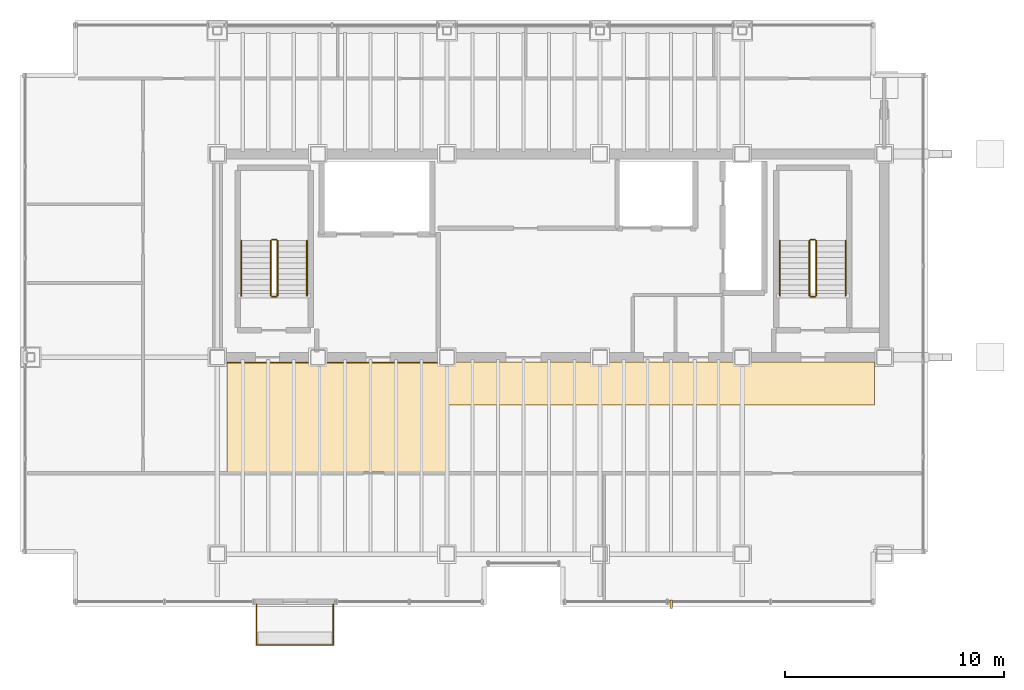
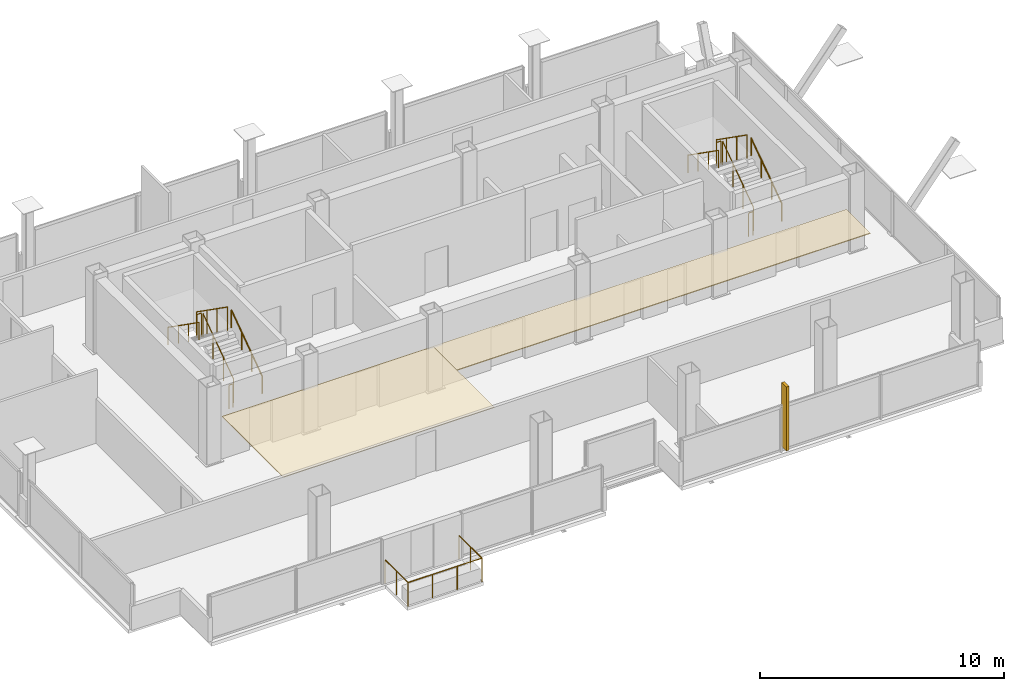
# One storey, part 16 of 16: 13 railings, 2 coverings, 1 shading device.
"""IFC4 building model written with IfcOpenShell, lengths in metres."""

from ifc_helpers import new_model, si_unit, direction, frame, origin, origin_2d, place, context, subcontext, project, spatial, polyline, rectangle, circle, outline, extrude, material, layer, layer_set, type_object, element, save


model = new_model("IFC4")

# Units and contexts
model_context = context("Model", 3, precision=1e-05, world=origin(), true_north=direction((0.0, 1.0)))
body_context = subcontext(model_context, "Body", "Model", "MODEL_VIEW")
ifc_project = project(units=[si_unit("LENGTHUNIT", "METRE"), si_unit("AREAUNIT", "SQUARE_METRE"), si_unit("VOLUMEUNIT", "CUBIC_METRE"), si_unit("PLANEANGLEUNIT", "RADIAN"), si_unit("MASSUNIT", "GRAM", prefix="KILO")], contexts=[model_context])

# Site, building, storey
site_placement = place(None, origin())
site = spatial("IfcSite", under=ifc_project, at=site_placement, CompositionType="ELEMENT")
building_placement = place(site_placement, origin())
building = spatial("IfcBuilding", under=site, at=building_placement, Name="Noeulbin Bourse Tower", CompositionType="ELEMENT")
storey_placement = place(building_placement, frame((0.0, 0.0, 277.39990234375)))
storey = spatial("IfcBuildingStorey", under=building, at=storey_placement, Name="L69", CompositionType="ELEMENT", Elevation=277.39990234375)

# Coverings
ifc_material_1 = material(Name="Perforated Mineral-Fibre Acoustic Tile")
ifc_layer_1 = layer(ifc_material_1, 0.0400390625)
ifc_layer_set_1 = layer_set([ifc_layer_1], Name="Perforated Mineral-Fibre Acoustic Tile")
covering_type_1 = type_object("IfcCoveringType", Name="COV-CEIL-ACT", PredefinedType="CEILING", material=ifc_layer_set_1)
covering_1_placement = place(storey_placement, frame((0.0, 0.0, 2.110107421875)))
element("IfcCovering", 1, at=covering_1_placement, inside=storey, type_object=covering_type_1, Name="Trading Suite Acoustic Ceiling L69", PredefinedType="CEILING", context=body_context, shape_type="SweptSolid", body=[
    extrude(outline(polyline([(13.949951171875, 23.75), (23.949951171875, 23.75), (23.949951171875, 28.75), (13.949951171875, 28.75), (13.949951171875, 23.75)])), origin(), (0.0, 0.0, 1.0), 0.0400390625),
])
ifc_material_2 = material(Name="Linear Anodised Aluminium Baffle Ceiling", Category="aluminium")
ifc_layer_2 = layer(ifc_material_2, 0.050048828125)
ifc_layer_set_2 = layer_set([ifc_layer_2], Name="Linear Anodised Aluminium Baffle Ceiling")
covering_type_2 = type_object("IfcCoveringType", Name="COV-CEIL-MTL", PredefinedType="CEILING", material=ifc_layer_set_2)
covering_2_placement = place(storey_placement, frame((0.0, 0.0, 2.110107421875)))
element("IfcCovering", 2, at=covering_2_placement, inside=storey, type_object=covering_type_2, Name="Corridor Suspended Ceiling L69", PredefinedType="CEILING", context=body_context, shape_type="SweptSolid", body=[
    extrude(outline(polyline([(13.949951171875, 26.820068359375), (43.550048828125, 26.820068359375), (43.550048828125, 28.780029296875), (13.949951171875, 28.780029296875), (13.949951171875, 26.820068359375)])), origin(), (0.0, 0.0, 1.0), 0.0400390625),
])

# Railings
ifc_material_3 = material(Name="Laminated SentryGlas and Stainless Steel 316", Category="steel")
ifc_layer_3 = layer(ifc_material_3, 0.06005859375)
ifc_layer_set_3 = layer_set([ifc_layer_3], Name="Laminated SentryGlas and Stainless Steel 316")
railing_type_1 = type_object("IfcRailingType", Name="RLG-BAL-1200", PredefinedType="BALUSTRADE", material=ifc_layer_set_3)
railing_1_placement = place(storey_placement, frame((15.300048828125, 17.719970703125, 0.0)))
element("IfcRailing", 3, at=railing_1_placement, inside=storey, type_object=railing_type_1, Name="Tree-Balcony Glazed Balustrade L69", PredefinedType="BALUSTRADE", context=body_context, shape_type="SweptSolid", body=[
    extrude(circle(Radius=0.02392578125, at=origin_2d()), frame((0.0, 0.0, 1.17578125), z_axis=(0.0, -1.0, 0.0), x_axis=(1.0, 0.0, 0.0)), (0.0, 0.0, 1.0), 1.869873046875),
    extrude(circle(Radius=0.02392578125, at=origin_2d()), frame((0.0, -1.869873046875, 1.17578125), z_axis=(1.0, 0.0, 0.0), x_axis=(0.0, 1.0, 0.0)), (0.0, 0.0, 1.0), 3.5),
    extrude(circle(Radius=0.02392578125, at=origin_2d()), frame((3.5, -1.869873046875, 1.17578125), z_axis=(0.0, 1.0, 0.0), x_axis=(-1.0, 0.0, 0.0)), (0.0, 0.0, 1.0), 1.869873046875),
    extrude(circle(Radius=0.02099609375, at=origin_2d()), origin(), (0.0, 0.0, 1.0), 1.15185546875),
    extrude(circle(Radius=0.02099609375, at=origin_2d()), frame((0.0, -0.93505859375, 0.0)), (0.0, 0.0, 1.0), 1.15185546875),
    extrude(circle(Radius=0.02099609375, at=origin_2d()), frame((0.0, -1.869873046875, 0.0)), (0.0, 0.0, 1.0), 1.15185546875),
    extrude(circle(Radius=0.02099609375, at=origin_2d()), frame((1.166748046875, -1.869873046875, 0.0)), (0.0, 0.0, 1.0), 1.15185546875),
    extrude(circle(Radius=0.02099609375, at=origin_2d()), frame((2.333251953125, -1.869873046875, 0.0)), (0.0, 0.0, 1.0), 1.15185546875),
    extrude(circle(Radius=0.02099609375, at=origin_2d()), frame((3.5, -1.869873046875, 0.0)), (0.0, 0.0, 1.0), 1.15185546875),
    extrude(circle(Radius=0.02099609375, at=origin_2d()), frame((3.5, -0.93505859375, 0.0)), (0.0, 0.0, 1.0), 1.15185546875),
    extrude(circle(Radius=0.02099609375, at=origin_2d()), frame((3.5, 0.0, 0.0)), (0.0, 0.0, 1.0), 1.15185546875),
])
ifc_material_4 = material(Name="Painted Tubular Steel S355", Category="steel")
ifc_layer_4 = layer(ifc_material_4, 0.048095703125)
ifc_layer_set_4 = layer_set([ifc_layer_4], Name="Painted Tubular Steel S355")
railing_type_2 = type_object("IfcRailingType", Name="RLG-STR-GRD", PredefinedType="GUARDRAIL", material=ifc_layer_set_4)
railing_2_placement = place(storey_placement, frame((16.25, 31.81005859375, 0.177490234375)))
element("IfcRailing", 4, at=railing_2_placement, inside=storey, type_object=railing_type_2, Name="L69 ST-1 stair guard 1", PredefinedType="GUARDRAIL", context=body_context, shape_type="SweptSolid", body=[
    extrude(circle(Radius=0.02392578125, at=origin_2d()), frame((0.0, 0.0, 1.17578125), z_axis=(0.0, 0.817904474719, 0.575354039036), x_axis=(-1.0, 0.0, 0.0)), (0.0, 0.0, 1.0), 3.0810546875),
    extrude(circle(Radius=0.02099609375, at=origin_2d()), origin(), (0.0, 0.0, 1.0), 1.15185546875),
    extrude(circle(Radius=0.02099609375, at=origin_2d()), frame((0.0, 0.840087890625, 0.5908203125)), (0.0, 0.0, 1.0), 1.15185546875),
    extrude(circle(Radius=0.02099609375, at=origin_2d()), frame((0.0, 1.679931640625, 1.181884765625)), (0.0, 0.0, 1.0), 1.15185546875),
    extrude(circle(Radius=0.02099609375, at=origin_2d()), frame((0.0, 2.52001953125, 1.772705078125)), (0.0, 0.0, 1.0), 1.15185546875),
])
railing_3_placement = place(storey_placement, frame((16.199951171875, 34.3798828125, 1.9501953125)))
element("IfcRailing", 5, at=railing_3_placement, inside=storey, type_object=railing_type_2, Name="L69 ST-1 stair guard 2", PredefinedType="GUARDRAIL", context=body_context, shape_type="SweptSolid", body=[
    extrude(circle(Radius=0.02392578125, at=origin_2d()), frame((0.0, 0.0, 1.17578125), z_axis=(-1.0, 0.0, 0.0), x_axis=(0.0, -1.0, 0.0)), (0.0, 0.0, 1.0), 0.199951171875),
    extrude(circle(Radius=0.02099609375, at=origin_2d()), origin(), (0.0, 0.0, 1.0), 1.15185546875),
    extrude(circle(Radius=0.02099609375, at=origin_2d()), frame((-0.199951171875, 0.0, 0.0)), (0.0, 0.0, 1.0), 1.15185546875),
])
railing_4_placement = place(storey_placement, frame((15.949951171875, 34.330078125, 2.12744140625)))
element("IfcRailing", 6, at=railing_4_placement, inside=storey, type_object=railing_type_2, Name="L69 ST-1 stair guard 3", PredefinedType="GUARDRAIL", context=body_context, shape_type="SweptSolid", body=[
    extrude(circle(Radius=0.02392578125, at=origin_2d()), frame((0.0, 0.0, 1.17578125), z_axis=(0.0, -0.817904474719, 0.575354039036), x_axis=(1.0, 0.0, 0.0)), (0.0, 0.0, 1.0), 3.0810546875),
    extrude(circle(Radius=0.02099609375, at=origin_2d()), origin(), (0.0, 0.0, 1.0), 1.15185546875),
    extrude(circle(Radius=0.02099609375, at=origin_2d()), frame((0.0, -0.840087890625, 0.5908203125)), (0.0, 0.0, 1.0), 1.15185546875),
    extrude(circle(Radius=0.02099609375, at=origin_2d()), frame((0.0, -1.679931640625, 1.181884765625)), (0.0, 0.0, 1.0), 1.15185546875),
    extrude(circle(Radius=0.02099609375, at=origin_2d()), frame((0.0, -2.52001953125, 1.772705078125)), (0.0, 0.0, 1.0), 1.15185546875),
])
railing_5_placement = place(storey_placement, frame((16.199951171875, 31.760009765625, 0.0)))
element("IfcRailing", 7, at=railing_5_placement, inside=storey, type_object=railing_type_2, Name="L69 ST-1 stair guard 4", PredefinedType="GUARDRAIL", context=body_context, shape_type="SweptSolid", body=[
    extrude(circle(Radius=0.02392578125, at=origin_2d()), frame((0.0, 0.0, 1.17578125), z_axis=(-1.0, 0.0, 0.0), x_axis=(0.0, -1.0, 0.0)), (0.0, 0.0, 1.0), 0.199951171875),
    extrude(circle(Radius=0.02099609375, at=origin_2d()), origin(), (0.0, 0.0, 1.0), 1.15185546875),
    extrude(circle(Radius=0.02099609375, at=origin_2d()), frame((-0.199951171875, 0.0, 0.0)), (0.0, 0.0, 1.0), 1.15185546875),
])
railing_6_placement = place(storey_placement, frame((40.8798828125, 31.81005859375, 0.177490234375)))
element("IfcRailing", 8, at=railing_6_placement, inside=storey, type_object=railing_type_2, Name="L69 ST-2 stair guard 1", PredefinedType="GUARDRAIL", context=body_context, shape_type="SweptSolid", body=[
    extrude(circle(Radius=0.02392578125, at=origin_2d()), frame((0.0, 0.0, 1.17578125), z_axis=(0.0, 0.817904474719, 0.575354039036), x_axis=(-1.0, 0.0, 0.0)), (0.0, 0.0, 1.0), 3.0810546875),
    extrude(circle(Radius=0.02099609375, at=origin_2d()), origin(), (0.0, 0.0, 1.0), 1.15185546875),
    extrude(circle(Radius=0.02099609375, at=origin_2d()), frame((0.0, 0.840087890625, 0.5908203125)), (0.0, 0.0, 1.0), 1.15185546875),
    extrude(circle(Radius=0.02099609375, at=origin_2d()), frame((0.0, 1.679931640625, 1.181884765625)), (0.0, 0.0, 1.0), 1.15185546875),
    extrude(circle(Radius=0.02099609375, at=origin_2d()), frame((0.0, 2.52001953125, 1.772705078125)), (0.0, 0.0, 1.0), 1.15185546875),
])
railing_7_placement = place(storey_placement, frame((40.830078125, 34.3798828125, 1.9501953125)))
element("IfcRailing", 9, at=railing_7_placement, inside=storey, type_object=railing_type_2, Name="L69 ST-2 stair guard 2", PredefinedType="GUARDRAIL", context=body_context, shape_type="SweptSolid", body=[
    extrude(circle(Radius=0.02392578125, at=origin_2d()), frame((0.0, 0.0, 1.17578125), z_axis=(-1.0, 0.0, 0.0), x_axis=(0.0, -1.0, 0.0)), (0.0, 0.0, 1.0), 0.2001953125),
    extrude(circle(Radius=0.02099609375, at=origin_2d()), origin(), (0.0, 0.0, 1.0), 1.15185546875),
    extrude(circle(Radius=0.02099609375, at=origin_2d()), frame((-0.2001953125, 0.0, 0.0)), (0.0, 0.0, 1.0), 1.15185546875),
])
railing_8_placement = place(storey_placement, frame((40.580078125, 34.330078125, 2.12744140625)))
element("IfcRailing", 10, at=railing_8_placement, inside=storey, type_object=railing_type_2, Name="L69 ST-2 stair guard 3", PredefinedType="GUARDRAIL", context=body_context, shape_type="SweptSolid", body=[
    extrude(circle(Radius=0.02392578125, at=origin_2d()), frame((0.0, 0.0, 1.17578125), z_axis=(0.0, -0.817904474719, 0.575354039036), x_axis=(1.0, 0.0, 0.0)), (0.0, 0.0, 1.0), 3.0810546875),
    extrude(circle(Radius=0.02099609375, at=origin_2d()), origin(), (0.0, 0.0, 1.0), 1.15185546875),
    extrude(circle(Radius=0.02099609375, at=origin_2d()), frame((0.0, -0.840087890625, 0.5908203125)), (0.0, 0.0, 1.0), 1.15185546875),
    extrude(circle(Radius=0.02099609375, at=origin_2d()), frame((0.0, -1.679931640625, 1.181884765625)), (0.0, 0.0, 1.0), 1.15185546875),
    extrude(circle(Radius=0.02099609375, at=origin_2d()), frame((0.0, -2.52001953125, 1.772705078125)), (0.0, 0.0, 1.0), 1.15185546875),
])
railing_9_placement = place(storey_placement, frame((40.830078125, 31.760009765625, 0.0)))
element("IfcRailing", 11, at=railing_9_placement, inside=storey, type_object=railing_type_2, Name="L69 ST-2 stair guard 4", PredefinedType="GUARDRAIL", context=body_context, shape_type="SweptSolid", body=[
    extrude(circle(Radius=0.02392578125, at=origin_2d()), frame((0.0, 0.0, 1.17578125), z_axis=(-1.0, 0.0, 0.0), x_axis=(0.0, -1.0, 0.0)), (0.0, 0.0, 1.0), 0.2001953125),
    extrude(circle(Radius=0.02099609375, at=origin_2d()), origin(), (0.0, 0.0, 1.0), 1.15185546875),
    extrude(circle(Radius=0.02099609375, at=origin_2d()), frame((-0.2001953125, 0.0, 0.0)), (0.0, 0.0, 1.0), 1.15185546875),
])
ifc_material_5 = material(Name="Brushed Stainless Steel 316", Category="steel")
ifc_layer_5 = layer(ifc_material_5, 0.048095703125)
ifc_layer_set_5 = layer_set([ifc_layer_5], Name="Brushed Stainless Steel 316")
railing_type_3 = type_object("IfcRailingType", Name="RLG-STR-HND", PredefinedType="HANDRAIL", material=ifc_layer_set_5)
railing_10_placement = place(storey_placement, frame((17.60009765625, 31.81005859375, 0.177490234375)))
element("IfcRailing", 12, at=railing_10_placement, inside=storey, type_object=railing_type_3, Name="L69 ST-1 stair handrail 1", PredefinedType="HANDRAIL", context=body_context, shape_type="SweptSolid", body=[
    extrude(circle(Radius=0.02392578125, at=origin_2d()), frame((0.0, 0.0, 0.8759765625), z_axis=(0.0, 0.817904474719, 0.575354039036), x_axis=(-1.0, 0.0, 0.0)), (0.0, 0.0, 1.0), 3.0810546875),
    extrude(circle(Radius=0.02099609375, at=origin_2d()), origin(), (0.0, 0.0, 1.0), 0.851806640625),
    extrude(circle(Radius=0.02099609375, at=origin_2d()), frame((0.0, 0.840087890625, 0.5908203125)), (0.0, 0.0, 1.0), 0.851806640625),
    extrude(circle(Radius=0.02099609375, at=origin_2d()), frame((0.0, 1.679931640625, 1.181884765625)), (0.0, 0.0, 1.0), 0.851806640625),
    extrude(circle(Radius=0.02099609375, at=origin_2d()), frame((0.0, 2.52001953125, 1.772705078125)), (0.0, 0.0, 1.0), 0.851806640625),
])
railing_11_placement = place(storey_placement, frame((14.60009765625, 34.330078125, 2.12744140625)))
element("IfcRailing", 13, at=railing_11_placement, inside=storey, type_object=railing_type_3, Name="L69 ST-1 stair handrail 2", PredefinedType="HANDRAIL", context=body_context, shape_type="SweptSolid", body=[
    extrude(circle(Radius=0.02392578125, at=origin_2d()), frame((0.0, 0.0, 0.8759765625), z_axis=(0.0, -0.817904474719, 0.575354039036), x_axis=(1.0, 0.0, 0.0)), (0.0, 0.0, 1.0), 3.0810546875),
    extrude(circle(Radius=0.02099609375, at=origin_2d()), origin(), (0.0, 0.0, 1.0), 0.851806640625),
    extrude(circle(Radius=0.02099609375, at=origin_2d()), frame((0.0, -0.840087890625, 0.5908203125)), (0.0, 0.0, 1.0), 0.851806640625),
    extrude(circle(Radius=0.02099609375, at=origin_2d()), frame((0.0, -1.679931640625, 1.181884765625)), (0.0, 0.0, 1.0), 0.851806640625),
    extrude(circle(Radius=0.02099609375, at=origin_2d()), frame((0.0, -2.52001953125, 1.772705078125)), (0.0, 0.0, 1.0), 0.851806640625),
])
railing_12_placement = place(storey_placement, frame((42.22998046875, 31.81005859375, 0.177490234375)))
element("IfcRailing", 14, at=railing_12_placement, inside=storey, type_object=railing_type_3, Name="L69 ST-2 stair handrail 1", PredefinedType="HANDRAIL", context=body_context, shape_type="SweptSolid", body=[
    extrude(circle(Radius=0.02392578125, at=origin_2d()), frame((0.0, 0.0, 0.8759765625), z_axis=(0.0, 0.817904474719, 0.575354039036), x_axis=(-1.0, 0.0, 0.0)), (0.0, 0.0, 1.0), 3.0810546875),
    extrude(circle(Radius=0.02099609375, at=origin_2d()), origin(), (0.0, 0.0, 1.0), 0.851806640625),
    extrude(circle(Radius=0.02099609375, at=origin_2d()), frame((0.0, 0.840087890625, 0.5908203125)), (0.0, 0.0, 1.0), 0.851806640625),
    extrude(circle(Radius=0.02099609375, at=origin_2d()), frame((0.0, 1.679931640625, 1.181884765625)), (0.0, 0.0, 1.0), 0.851806640625),
    extrude(circle(Radius=0.02099609375, at=origin_2d()), frame((0.0, 2.52001953125, 1.772705078125)), (0.0, 0.0, 1.0), 0.851806640625),
])
railing_13_placement = place(storey_placement, frame((39.22998046875, 34.330078125, 2.12744140625)))
element("IfcRailing", 15, at=railing_13_placement, inside=storey, type_object=railing_type_3, Name="L69 ST-2 stair handrail 2", PredefinedType="HANDRAIL", context=body_context, shape_type="SweptSolid", body=[
    extrude(circle(Radius=0.02392578125, at=origin_2d()), frame((0.0, 0.0, 0.8759765625), z_axis=(0.0, -0.817904474719, 0.575354039036), x_axis=(1.0, 0.0, 0.0)), (0.0, 0.0, 1.0), 3.0810546875),
    extrude(circle(Radius=0.02099609375, at=origin_2d()), origin(), (0.0, 0.0, 1.0), 0.851806640625),
    extrude(circle(Radius=0.02099609375, at=origin_2d()), frame((0.0, -0.840087890625, 0.5908203125)), (0.0, 0.0, 1.0), 0.851806640625),
    extrude(circle(Radius=0.02099609375, at=origin_2d()), frame((0.0, -1.679931640625, 1.181884765625)), (0.0, 0.0, 1.0), 0.851806640625),
    extrude(circle(Radius=0.02099609375, at=origin_2d()), frame((0.0, -2.52001953125, 1.772705078125)), (0.0, 0.0, 1.0), 0.851806640625),
])

# Shading device
ifc_material_6 = material(Name="Anodised Aluminium 6063-T6", Category="aluminium")
ifc_layer_6 = layer(ifc_material_6, 3.199951171875)
ifc_layer_set_6 = layer_set([ifc_layer_6], Name="Anodised Aluminium 6063-T6")
shading_device_type = type_object("IfcShadingDeviceType", Name="SHD-FIN-400", PredefinedType="USERDEFINED", material=ifc_layer_set_6)
shading_device_placement = place(storey_placement, frame((34.25, 17.699951171875, 0.14990234375), z_axis=(0.0, 0.0, 1.0), x_axis=(1.0, 0.0, 0.0)))
element("IfcShadingDevice", 16, at=shading_device_placement, inside=storey, type_object=shading_device_type, Name="Vertical Solar Fin SN-L69-2", ObjectType="SUNSHADE", PredefinedType="USERDEFINED", context=body_context, shape_type="SweptSolid", body=[
    extrude(rectangle(XDim=0.1201171875, YDim=0.3798828125, at=origin_2d()), origin(), (0.0, 0.0, 1.0), 3.199951171875),
])

save(model, "model.ifc")
